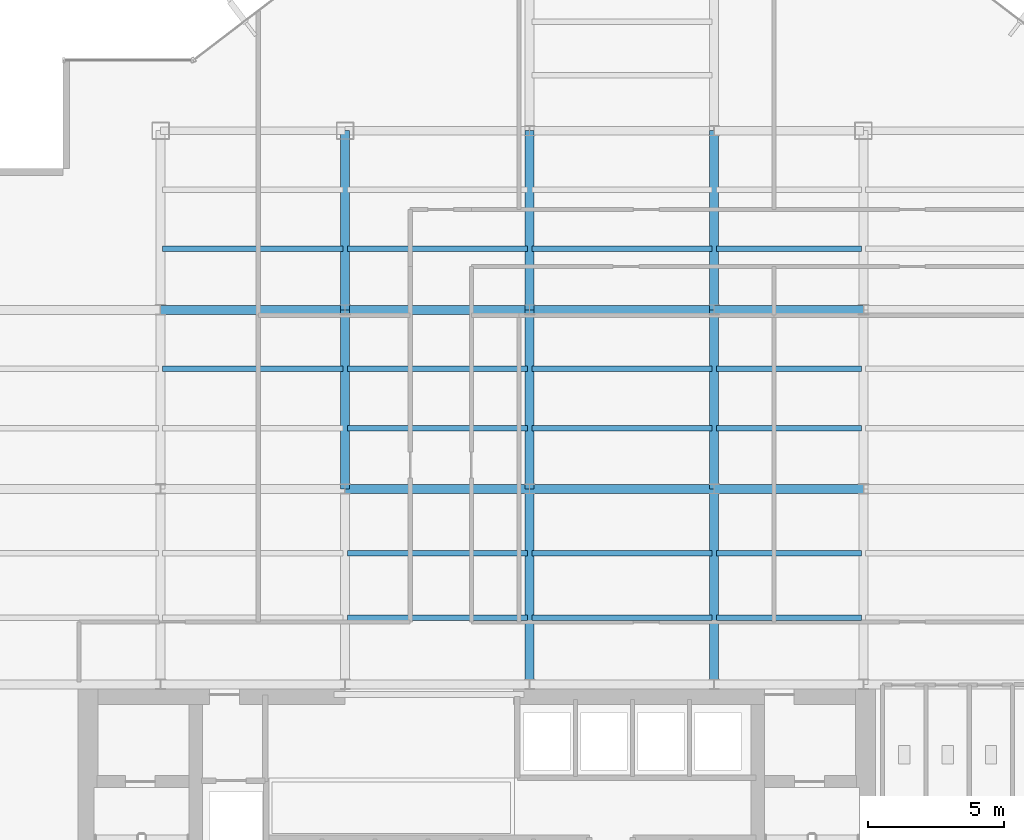
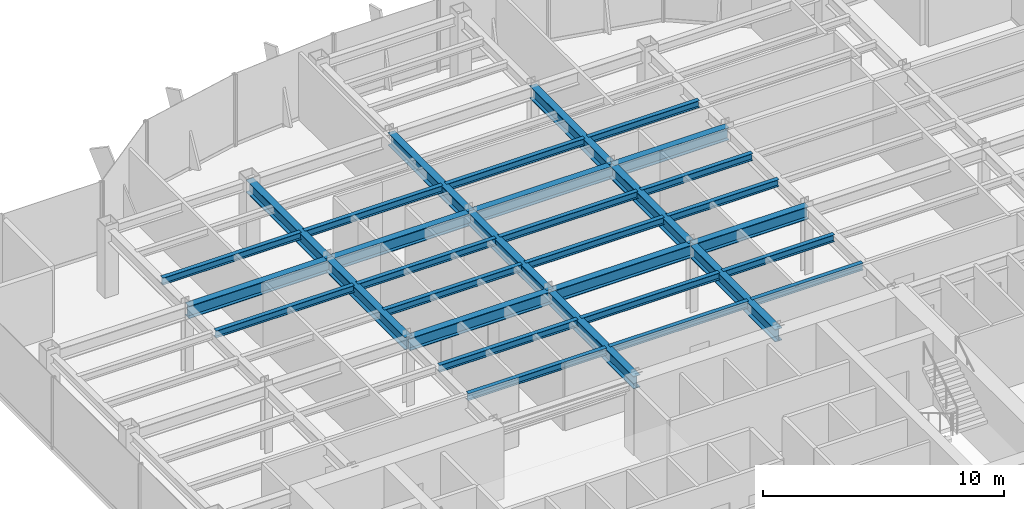
# One storey, part 8 of 25: 32 beams.
"""IFC4 building model written with IfcOpenShell, lengths in metres."""

from ifc_helpers import new_model, si_unit, derived_unit, direction, frame, origin, origin_2d, place, context, subcontext, project, spatial, i_section, extrude, source, transform, mapped, material, material_profile, profile_set, type_object, element, save


model = new_model("IFC4")

# Units and contexts
model_context = context("Model", 3, precision=1e-05, world=origin(), true_north=direction((0.0, 1.0)))
body_context = subcontext(model_context, "Body", "Model", "MODEL_VIEW")
ifc_project = project(units=[si_unit("LENGTHUNIT", "METRE"), si_unit("AREAUNIT", "SQUARE_METRE"), si_unit("VOLUMEUNIT", "CUBIC_METRE"), si_unit("PLANEANGLEUNIT", "RADIAN"), si_unit("MASSUNIT", "GRAM", prefix="KILO"), derived_unit("THERMALTRANSMITTANCEUNIT", [(si_unit("POWERUNIT", "WATT"), 1), (si_unit("LENGTHUNIT", "METRE"), -2), (si_unit("THERMODYNAMICTEMPERATUREUNIT", "KELVIN"), -1)])], contexts=[model_context])

# Site, building, storey
site_placement = place(None, origin())
site = spatial("IfcSite", under=ifc_project, at=site_placement, CompositionType="ELEMENT")
building_placement = place(site_placement, origin())
building = spatial("IfcBuilding", under=site, at=building_placement, Name="Skarnbrae Concourse Arena and Tower", CompositionType="ELEMENT")
storey_placement = place(building_placement, frame((0.0, 0.0, 173.449951171875)))
storey = spatial("IfcBuildingStorey", under=building, at=storey_placement, Name="L44", CompositionType="ELEMENT", Elevation=173.449951171875)

# Beams
ifc_material = material(Name="Steel CSA G40.21 350W", Category="steel")
ifc_material_profile_1 = material_profile(ifc_material, i_section(OverallWidth=0.3291015625, OverallDepth=0.635009765625, WebThickness=0.017822265625, FlangeThickness=0.031005859375, at=origin_2d()), Name="W610X241")
ifc_profile_set_1 = profile_set([ifc_material_profile_1], Name="Steel CSA G40.21 350W")
beam_type_1 = type_object("IfcBeamType", Name="BM-GIRD-W610X241", PredefinedType="BEAM", material=ifc_profile_set_1)
shared_shape_1 = source(origin(), body_context, "Body", "SweptSolid", [
    extrude(i_section(OverallWidth=0.3291015625, OverallDepth=0.635009765625, WebThickness=0.017822265625, FlangeThickness=0.031005859375, at=origin_2d()), origin(), (0.0, 0.0, 1.0), 6.60009765625),
])
for number, where, z_axis, x_axis, name in (
    (1, (14.39990234375, 21.199951171875, 3.08251953125), (0.0, 1.0, 0.0), (-1.0, 0.0, 0.0), "L44 Primary N-S girder X14.4-2"),
    (2, (21.199951171875, 21.199951171875, 3.08251953125), (0.0, 1.0, 0.0), (-1.0, 0.0, 0.0), "L44 Primary N-S girder X21.2-2"),
    (3, (28.0, 21.199951171875, 3.08251953125), (0.0, 1.0, 0.0), (-1.0, 0.0, 0.0), "L44 Primary N-S girder X28.0-2"),
):
    element("IfcBeam", number, at=place(storey_placement, frame(where, z_axis=z_axis, x_axis=x_axis)), inside=storey, type_object=beam_type_1, Name=name, PredefinedType="BEAM", context=body_context, shape_type="MappedRepresentation", body=[
        mapped(shared_shape_1, transform((0.0, 0.0, 0.0))),
    ])
shared_shape_2 = source(origin(), body_context, "Body", "SweptSolid", [
    extrude(i_section(OverallWidth=0.3291015625, OverallDepth=0.635009765625, WebThickness=0.017822265625, FlangeThickness=0.031005859375, at=origin_2d()), origin(), (0.0, 0.0, 1.0), 6.7998046875),
])
beam_placement = place(storey_placement, frame((7.60009765625, 27.800048828125, 3.08251953125), z_axis=(1.0, 0.0, 0.0), x_axis=(0.0, 1.0, 0.0)))
element("IfcBeam", 4, at=beam_placement, inside=storey, type_object=beam_type_1, Name="L44 Primary E-W girder Y27.8-2", PredefinedType="BEAM", context=body_context, shape_type="MappedRepresentation", body=[
    mapped(shared_shape_2, transform((0.0, 0.0, 0.0))),
])
shared_shape_3 = source(origin(), body_context, "Body", "SweptSolid", [
    extrude(i_section(OverallWidth=0.3291015625, OverallDepth=0.635009765625, WebThickness=0.017822265625, FlangeThickness=0.031005859375, at=origin_2d()), origin(), (0.0, 0.0, 1.0), 6.800048828125),
])
for number, where, z_axis, x_axis, name in (
    (5, (14.39990234375, 21.199951171875, 3.08251953125), (1.0, 0.0, 0.0), (0.0, 1.0, 0.0), "L44 Primary E-W girder Y21.2-3"),
    (6, (21.199951171875, 21.199951171875, 3.08251953125), (1.0, 0.0, 0.0), (0.0, 1.0, 0.0), "L44 Primary E-W girder Y21.2-4"),
    (7, (14.39990234375, 27.800048828125, 3.08251953125), (1.0, 0.0, 0.0), (0.0, 1.0, 0.0), "L44 Primary E-W girder Y27.8-3"),
    (8, (21.199951171875, 27.800048828125, 3.08251953125), (1.0, 0.0, 0.0), (0.0, 1.0, 0.0), "L44 Primary E-W girder Y27.8-4"),
):
    element("IfcBeam", number, at=place(storey_placement, frame(where, z_axis=z_axis, x_axis=x_axis)), inside=storey, type_object=beam_type_1, Name=name, PredefinedType="BEAM", context=body_context, shape_type="MappedRepresentation", body=[
        mapped(shared_shape_3, transform((0.0, 0.0, 0.0))),
    ])
shared_shape_4 = source(origin(), body_context, "Body", "SweptSolid", [
    extrude(i_section(OverallWidth=0.3291015625, OverallDepth=0.635009765625, WebThickness=0.017822265625, FlangeThickness=0.031005859375, at=origin_2d()), origin(), (0.0, 0.0, 1.0), 5.5),
])
for number, where, z_axis, x_axis, name in (
    (9, (28.0, 21.199951171875, 3.08251953125), (1.0, 0.0, 0.0), (0.0, 1.0, 0.0), "L44 Primary E-W girder Y21.2-5"),
    (10, (28.0, 27.800048828125, 3.08251953125), (1.0, 0.0, 0.0), (0.0, 1.0, 0.0), "L44 Primary E-W girder Y27.8-5"),
):
    element("IfcBeam", number, at=place(storey_placement, frame(where, z_axis=z_axis, x_axis=x_axis)), inside=storey, type_object=beam_type_1, Name=name, PredefinedType="BEAM", context=body_context, shape_type="MappedRepresentation", body=[
        mapped(shared_shape_4, transform((0.0, 0.0, 0.0))),
    ])
shared_shape_5 = source(origin(), body_context, "Body", "SweptSolid", [
    extrude(i_section(OverallWidth=0.3291015625, OverallDepth=0.635009765625, WebThickness=0.017822265625, FlangeThickness=0.031005859375, at=origin_2d()), origin(), (0.0, 0.0, 1.0), 7.199951171875),
])
for number, where, z_axis, x_axis, name in (
    (11, (21.199951171875, 14.0, 3.08251953125), (0.0, 1.0, 0.0), (-1.0, 0.0, 0.0), "L44 Primary N-S girder X21.2-1"),
    (12, (28.0, 14.0, 3.08251953125), (0.0, 1.0, 0.0), (-1.0, 0.0, 0.0), "L44 Primary N-S girder X28.0-1"),
):
    element("IfcBeam", number, at=place(storey_placement, frame(where, z_axis=z_axis, x_axis=x_axis)), inside=storey, type_object=beam_type_1, Name=name, PredefinedType="BEAM", context=body_context, shape_type="MappedRepresentation", body=[
        mapped(shared_shape_5, transform((0.0, 0.0, 0.0))),
    ])
shared_shape_6 = source(origin(), body_context, "Body", "SweptSolid", [
    extrude(i_section(OverallWidth=0.3291015625, OverallDepth=0.635009765625, WebThickness=0.017822265625, FlangeThickness=0.031005859375, at=origin_2d()), origin(), (0.0, 0.0, 1.0), 6.599853515625),
])
for number, where, z_axis, x_axis, name in (
    (13, (14.39990234375, 27.800048828125, 3.08251953125), (0.0, 1.0, 0.0), (-1.0, 0.0, 0.0), "L44 Primary N-S girder X14.4-3"),
    (14, (21.199951171875, 27.800048828125, 3.08251953125), (0.0, 1.0, 0.0), (-1.0, 0.0, 0.0), "L44 Primary N-S girder X21.2-3"),
    (15, (28.0, 27.800048828125, 3.08251953125), (0.0, 1.0, 0.0), (-1.0, 0.0, 0.0), "L44 Primary N-S girder X28.0-3"),
):
    element("IfcBeam", number, at=place(storey_placement, frame(where, z_axis=z_axis, x_axis=x_axis)), inside=storey, type_object=beam_type_1, Name=name, PredefinedType="BEAM", context=body_context, shape_type="MappedRepresentation", body=[
        mapped(shared_shape_6, transform((0.0, 0.0, 0.0))),
    ])
ifc_material_profile_2 = material_profile(ifc_material, i_section(OverallWidth=0.205078125, OverallDepth=0.35400390625, WebThickness=0.009521484375, FlangeThickness=0.016845703125, at=origin_2d()), Name="W360X79")
ifc_profile_set_2 = profile_set([ifc_material_profile_2], Name="Steel CSA G40.21 350W")
beam_type_2 = type_object("IfcBeamType", Name="BM-JOIST-W360X79", PredefinedType="JOIST", material=ifc_profile_set_2)
shared_shape_7 = source(origin(), body_context, "Body", "SweptSolid", [
    extrude(i_section(OverallWidth=0.205078125, OverallDepth=0.35400390625, WebThickness=0.009521484375, FlangeThickness=0.016845703125, at=origin_2d()), origin(), (0.0, 0.0, 1.0), 6.64013671875),
])
for number, where, z_axis, x_axis, name in (
    (16, (14.47998046875, 16.447998046875, 3.22314453125), (1.0, 0.0, 0.0), (0.0, 1.0, 0.0), "L44 Secondary floor joist 1.1.3"),
    (17, (14.47998046875, 18.823974609375, 3.22314453125), (1.0, 0.0, 0.0), (0.0, 1.0, 0.0), "L44 Secondary floor joist 1.2.3"),
    (18, (14.47998046875, 23.444091796875, 3.22314453125), (1.0, 0.0, 0.0), (0.0, 1.0, 0.0), "L44 Secondary floor joist 2.1.3"),
    (19, (7.679931640625, 25.6220703125, 3.22314453125), (1.0, 0.0, 0.0), (0.0, 1.0, 0.0), "L44 Secondary floor joist 2.2.2"),
    (20, (14.47998046875, 25.6220703125, 3.22314453125), (1.0, 0.0, 0.0), (0.0, 1.0, 0.0), "L44 Secondary floor joist 2.2.3"),
    (21, (7.679931640625, 30.0439453125, 3.22314453125), (1.0, 0.0, 0.0), (0.0, 1.0, 0.0), "L44 Secondary floor joist 3.1.1"),
    (22, (14.47998046875, 30.0439453125, 3.22314453125), (1.0, 0.0, 0.0), (0.0, 1.0, 0.0), "L44 Secondary floor joist 3.1.2"),
):
    element("IfcBeam", number, at=place(storey_placement, frame(where, z_axis=z_axis, x_axis=x_axis)), inside=storey, type_object=beam_type_2, Name=name, PredefinedType="JOIST", context=body_context, shape_type="MappedRepresentation", body=[
        mapped(shared_shape_7, transform((0.0, 0.0, 0.0))),
    ])
shared_shape_8 = source(origin(), body_context, "Body", "SweptSolid", [
    extrude(i_section(OverallWidth=0.205078125, OverallDepth=0.35400390625, WebThickness=0.009521484375, FlangeThickness=0.016845703125, at=origin_2d()), origin(), (0.0, 0.0, 1.0), 6.639892578125),
])
for number, where, z_axis, x_axis, name in (
    (23, (21.280029296875, 16.447998046875, 3.22314453125), (1.0, 0.0, 0.0), (0.0, 1.0, 0.0), "L44 Secondary floor joist 1.1.4"),
    (24, (21.280029296875, 18.823974609375, 3.22314453125), (1.0, 0.0, 0.0), (0.0, 1.0, 0.0), "L44 Secondary floor joist 1.2.4"),
    (25, (21.280029296875, 23.444091796875, 3.22314453125), (1.0, 0.0, 0.0), (0.0, 1.0, 0.0), "L44 Secondary floor joist 2.1.4"),
    (26, (21.280029296875, 25.6220703125, 3.22314453125), (1.0, 0.0, 0.0), (0.0, 1.0, 0.0), "L44 Secondary floor joist 2.2.4"),
    (27, (21.280029296875, 30.0439453125, 3.22314453125), (1.0, 0.0, 0.0), (0.0, 1.0, 0.0), "L44 Secondary floor joist 3.1.3"),
):
    element("IfcBeam", number, at=place(storey_placement, frame(where, z_axis=z_axis, x_axis=x_axis)), inside=storey, type_object=beam_type_2, Name=name, PredefinedType="JOIST", context=body_context, shape_type="MappedRepresentation", body=[
        mapped(shared_shape_8, transform((0.0, 0.0, 0.0))),
    ])
shared_shape_9 = source(origin(), body_context, "Body", "SweptSolid", [
    extrude(i_section(OverallWidth=0.205078125, OverallDepth=0.35400390625, WebThickness=0.009521484375, FlangeThickness=0.016845703125, at=origin_2d()), origin(), (0.0, 0.0, 1.0), 5.33984375),
])
for number, where, z_axis, x_axis, name in (
    (28, (28.080078125, 16.447998046875, 3.22314453125), (1.0, 0.0, 0.0), (0.0, 1.0, 0.0), "L44 Secondary floor joist 1.1.5"),
    (29, (28.080078125, 18.823974609375, 3.22314453125), (1.0, 0.0, 0.0), (0.0, 1.0, 0.0), "L44 Secondary floor joist 1.2.5"),
    (30, (28.080078125, 23.444091796875, 3.22314453125), (1.0, 0.0, 0.0), (0.0, 1.0, 0.0), "L44 Secondary floor joist 2.1.5"),
    (31, (28.080078125, 25.6220703125, 3.22314453125), (1.0, 0.0, 0.0), (0.0, 1.0, 0.0), "L44 Secondary floor joist 2.2.5"),
    (32, (28.080078125, 30.0439453125, 3.22314453125), (1.0, 0.0, 0.0), (0.0, 1.0, 0.0), "L44 Secondary floor joist 3.1.4"),
):
    element("IfcBeam", number, at=place(storey_placement, frame(where, z_axis=z_axis, x_axis=x_axis)), inside=storey, type_object=beam_type_2, Name=name, PredefinedType="JOIST", context=body_context, shape_type="MappedRepresentation", body=[
        mapped(shared_shape_9, transform((0.0, 0.0, 0.0))),
    ])

save(model, "model.ifc")
